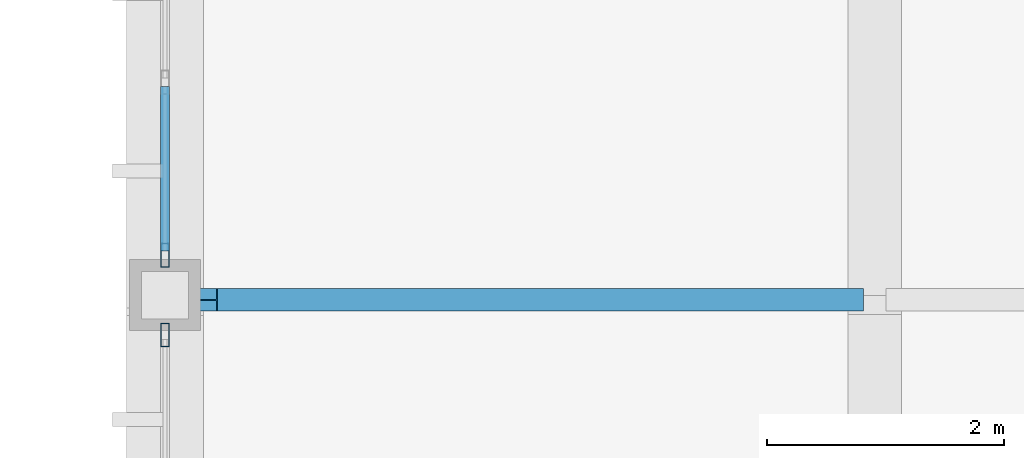
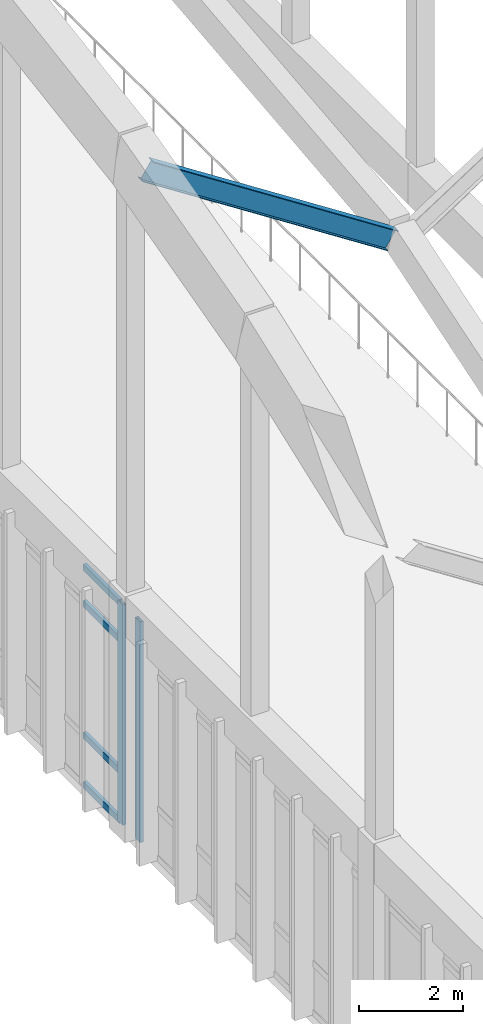
# One storey, part 38 of 236: 6 members, 1 beam, 2 elements without a shape of their own.
"""IFC4 building model written with IfcOpenShell, lengths in metres."""

from ifc_helpers import new_model, si_unit, direction, frame, origin, origin_2d, place, context, subcontext, project, spatial, hollow_rectangle, i_section, extrude, material, layer, layer_set, material_profile, profile_set, type_object, element, aggregate, save


model = new_model("IFC4")

# Units and contexts
model_context = context("Model", 3, precision=1e-05, world=origin(), true_north=direction((0.0, 1.0)))
body_context = subcontext(model_context, "Body", "Model", "MODEL_VIEW")
ifc_project = project(units=[si_unit("LENGTHUNIT", "METRE"), si_unit("AREAUNIT", "SQUARE_METRE"), si_unit("VOLUMEUNIT", "CUBIC_METRE"), si_unit("PLANEANGLEUNIT", "RADIAN"), si_unit("MASSUNIT", "GRAM", prefix="KILO")], contexts=[model_context])

# Site, building, storey
site_placement = place(None, origin())
site = spatial("IfcSite", under=ifc_project, at=site_placement, CompositionType="ELEMENT")
building_placement = place(site_placement, origin())
building = spatial("IfcBuilding", under=site, at=building_placement, Name="Pandanus Reach Market Hall", CompositionType="ELEMENT")
storey_placement = place(building_placement, frame((0.0, 0.0, 5.39990234375)))
storey = spatial("IfcBuildingStorey", under=building, at=storey_placement, Name="L01", CompositionType="ELEMENT", Elevation=5.39990234375)

# Beam
ifc_material_1 = material(Name="Steel Grade 350 (350 MPa)", Category="steel")
ifc_material_profile_1 = material_profile(ifc_material_1, i_section(OverallWidth=0.18994140625, OverallDepth=0.45703125, WebThickness=0.009033203125, FlangeThickness=0.014404296875, at=origin_2d()), Name="460UB74.6", Category="LoadBearing")
ifc_profile_set_1 = profile_set([ifc_material_profile_1], Name="Steel Grade 350 (350 MPa)")
beam_type = type_object("IfcBeamType", Name="BM-UB460-I", PredefinedType="BEAM", material=ifc_profile_set_1)
beam_placement = place(storey_placement, frame((48.320068359375, 47.9599609375, 15.499267578125), z_axis=(0.839070527962, 0.0, -0.544022654956), x_axis=(0.0, 1.0, 0.0)))
element("IfcBeam", 1, at=beam_placement, inside=storey, type_object=beam_type, Name="Butterfly transverse rib B1.3L", PredefinedType="BEAM", context=body_context, shape_type="SweptSolid", body=[
    extrude(i_section(OverallWidth=0.18994140625, OverallDepth=0.45703125, WebThickness=0.009033203125, FlangeThickness=0.014404296875, at=origin_2d()), origin(), (0.0, 0.0, 1.0), 6.507080078125),
])

# Curtain wall, member
ifc_material_2 = material(Name="Bronze anodised aluminium and low-E glass", Category="aluminium")
ifc_layer = layer(ifc_material_2, 0.199951171875, Name="CW-05")
ifc_layer_set = layer_set([ifc_layer], Name="Bronze anodised aluminium and low-E glass")
curtain_wall_type = type_object("IfcCurtainWallType", Name="CW-05", PredefinedType="NOTDEFINED", material=ifc_layer_set)
curtain_wall_1_placement = place(storey_placement, origin())
curtain_wall_1 = element("IfcCurtainWall", 2, at=curtain_wall_1_placement, inside=storey, type_object=curtain_wall_type, Name="Glazed curtain wall CW-05 CW-0022", PredefinedType="NOTDEFINED")
ifc_material_3 = material(Name="Bronze anodised aluminium", Category="aluminium")
ifc_material_profile_2 = material_profile(ifc_material_3, hollow_rectangle(XDim=0.074951171875, YDim=0.199951171875, WallThickness=0.00439453125, at=origin_2d()), Name="ALU75x200", Category="LoadBearing")
ifc_profile_set_2 = profile_set([ifc_material_profile_2], Name="Bronze anodised aluminium")
member_type_1 = type_object("IfcMemberType", Name="CW-M2", PredefinedType="MULLION", material=ifc_profile_set_2)
member_1_placement = place(storey_placement, frame((48.0, 47.66259765625, 0.0), z_axis=(0.0, 0.0, 1.0), x_axis=(-1.0, 0.0, 0.0)))
member_1 = element("IfcMember", 3, at=member_1_placement, type_object=member_type_1, Name="CW-05 mullion 7", PredefinedType="MULLION", context=body_context, shape_type="SweptSolid", body=[
    extrude(hollow_rectangle(XDim=0.074951171875, YDim=0.199951171875, WallThickness=0.00439453125, at=origin_2d()), origin(), (0.0, 0.0, 1.0), 5.2001953125),
])
aggregate(curtain_wall_1, [member_1])

# Curtain wall, members
curtain_wall_2_placement = place(storey_placement, origin())
curtain_wall_2 = element("IfcCurtainWall", 4, at=curtain_wall_2_placement, inside=storey, type_object=curtain_wall_type, Name="Glazed curtain wall CW-05 CW-0025", PredefinedType="NOTDEFINED")
member_2_placement = place(storey_placement, frame((48.0, 48.33740234375, 0.0), z_axis=(0.0, 0.0, 1.0), x_axis=(-1.0, 0.0, 0.0)))
member_2 = element("IfcMember", 5, at=member_2_placement, type_object=member_type_1, Name="CW-05 mullion 1", PredefinedType="MULLION", context=body_context, shape_type="SweptSolid", body=[
    extrude(hollow_rectangle(XDim=0.074951171875, YDim=0.199951171875, WallThickness=0.00439453125, at=origin_2d()), origin(), (0.0, 0.0, 1.0), 5.2001953125),
])
ifc_material_profile_3 = material_profile(ifc_material_3, hollow_rectangle(XDim=0.074951171875, YDim=0.14990234375, WallThickness=0.00439453125, at=origin_2d()), Name="ALU75x150", Category="LoadBearing")
ifc_profile_set_3 = profile_set([ifc_material_profile_3], Name="Bronze anodised aluminium")
member_type_2 = type_object("IfcMemberType", Name="CW-T2", PredefinedType="USERDEFINED", material=ifc_profile_set_3)
member_3_placement = place(storey_placement, frame((48.0, 48.375, 0.03759765625), z_axis=(0.0, 1.0, 0.0), x_axis=(-1.0, 0.0, 0.0)))
member_3 = element("IfcMember", 6, at=member_3_placement, type_object=member_type_2, Name="CW-05 transom 1.1", ObjectType="TRANSOM", PredefinedType="USERDEFINED", context=body_context, shape_type="SweptSolid", body=[
    extrude(hollow_rectangle(XDim=0.074951171875, YDim=0.14990234375, WallThickness=0.00439453125, at=origin_2d()), origin(), (0.0, 0.0, 1.0), 1.387451171875),
])
member_4_placement = place(storey_placement, frame((48.0, 48.375, 1.2001953125), z_axis=(0.0, 1.0, 0.0), x_axis=(-1.0, 0.0, 0.0)))
member_4 = element("IfcMember", 7, at=member_4_placement, type_object=member_type_2, Name="CW-05 transom 1.2", ObjectType="TRANSOM", PredefinedType="USERDEFINED", context=body_context, shape_type="SweptSolid", body=[
    extrude(hollow_rectangle(XDim=0.074951171875, YDim=0.14990234375, WallThickness=0.00439453125, at=origin_2d()), origin(), (0.0, 0.0, 1.0), 1.387451171875),
])
member_5_placement = place(storey_placement, frame((48.0, 48.375, 4.300048828125), z_axis=(0.0, 1.0, 0.0), x_axis=(-1.0, 0.0, 0.0)))
member_5 = element("IfcMember", 8, at=member_5_placement, type_object=member_type_2, Name="CW-05 transom 1.3", ObjectType="TRANSOM", PredefinedType="USERDEFINED", context=body_context, shape_type="SweptSolid", body=[
    extrude(hollow_rectangle(XDim=0.074951171875, YDim=0.14990234375, WallThickness=0.00439453125, at=origin_2d()), origin(), (0.0, 0.0, 1.0), 1.387451171875),
])
member_6_placement = place(storey_placement, frame((48.0, 48.375, 5.16259765625), z_axis=(0.0, 1.0, 0.0), x_axis=(-1.0, 0.0, 0.0)))
member_6 = element("IfcMember", 9, at=member_6_placement, type_object=member_type_2, Name="CW-05 transom 1.4", ObjectType="TRANSOM", PredefinedType="USERDEFINED", context=body_context, shape_type="SweptSolid", body=[
    extrude(hollow_rectangle(XDim=0.074951171875, YDim=0.14990234375, WallThickness=0.00439453125, at=origin_2d()), origin(), (0.0, 0.0, 1.0), 1.387451171875),
])
aggregate(curtain_wall_2, [member_2, member_3, member_4, member_5, member_6])

save(model, "model.ifc")
